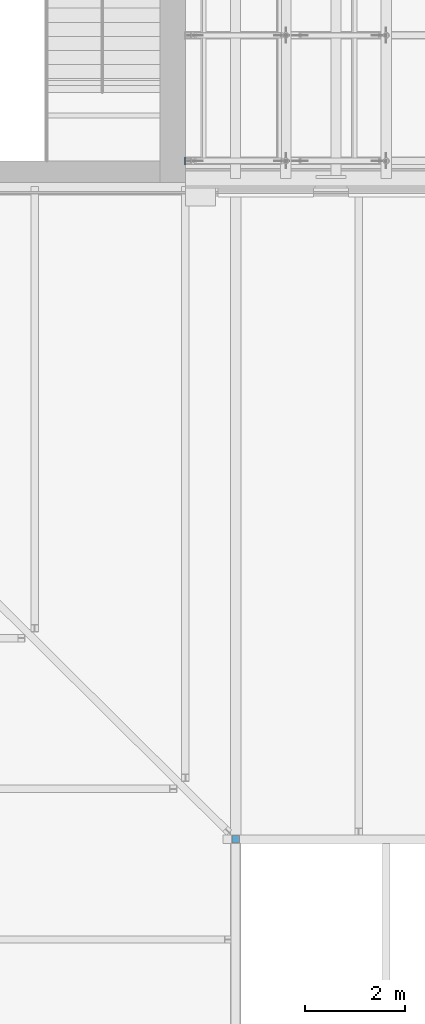
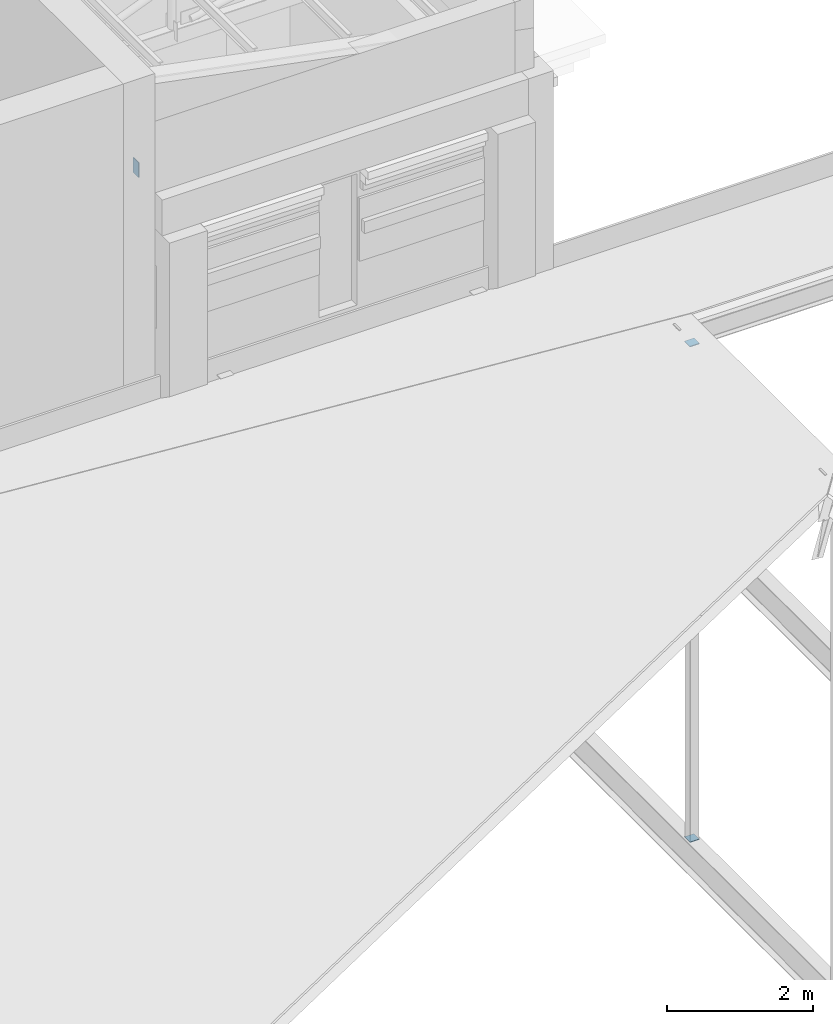
# One storey, part 90 of 118: 3 discrete accessories.
"""IFC4 building model written with IfcOpenShell, lengths in metres."""

from ifc_helpers import new_model, si_unit, direction, frame, origin, origin_2d, place, context, subcontext, project, spatial, rectangle, extrude, material, material_profile, profile_set, type_object, element, save


model = new_model("IFC4")

# Units and contexts
model_context = context("Model", 3, precision=1e-05, world=origin(), true_north=direction((0.0, 1.0)))
body_context = subcontext(model_context, "Body", "Model", "MODEL_VIEW")
ifc_project = project(units=[si_unit("LENGTHUNIT", "METRE"), si_unit("AREAUNIT", "SQUARE_METRE"), si_unit("VOLUMEUNIT", "CUBIC_METRE"), si_unit("PLANEANGLEUNIT", "RADIAN"), si_unit("MASSUNIT", "GRAM", prefix="KILO")], contexts=[model_context])

# Site, building, storey
site_placement = place(None, origin())
site = spatial("IfcSite", under=ifc_project, at=site_placement, CompositionType="ELEMENT")
building_placement = place(site_placement, origin())
building = spatial("IfcBuilding", under=site, at=building_placement, Name="Saffron Lane Theatres", CompositionType="ELEMENT")
storey_placement = place(building_placement, frame((0.0, 0.0, 16.5)))
storey = spatial("IfcBuildingStorey", under=building, at=storey_placement, Name="L03", CompositionType="ELEMENT", Elevation=16.5)

# Discrete accessories
ifc_material_1 = material(Name="Steel Grade 350", Category="steel")
ifc_material_profile_1 = material_profile(ifc_material_1, rectangle(XDim=0.14990234375, YDim=0.14990234375, at=origin_2d()))
ifc_profile_set_1 = profile_set([ifc_material_profile_1], Name="Steel Grade 350")
discrete_accessory_type_1 = type_object("IfcDiscreteAccessoryType", Name="ST-STEEL END CAP 150x150x9 SHS", PredefinedType="ANCHORPLATE", material=ifc_profile_set_1)
for number, where, z_axis, x_axis, name in (
    (1, (49.0, 17.0, 1.220947265625), (0.0, 0.0, 1.0), (1.0, 0.0, 0.0), "EC609"),
    (2, (49.0, 17.0, 9.52099609375), (0.0, 0.0, 1.0), (1.0, 0.0, 0.0), "EC610"),
):
    element("IfcDiscreteAccessory", number, at=place(storey_placement, frame(where, z_axis=z_axis, x_axis=x_axis)), inside=storey, type_object=discrete_accessory_type_1, Name=name, PredefinedType="ANCHORPLATE", context=body_context, shape_type="SweptSolid", body=[
        extrude(rectangle(XDim=0.14990234375, YDim=0.14990234375, at=origin_2d()), origin(), (0.0, 0.0, 1.0), 0.011962890625),
    ])
ifc_material_2 = material(Name="Steel Grade 350", Category="steel")
ifc_material_profile_2 = material_profile(ifc_material_2, rectangle(XDim=0.14990234375, YDim=0.25, at=origin_2d()))
ifc_profile_set_2 = profile_set([ifc_material_profile_2], Name="Steel Grade 350")
discrete_accessory_type_2 = type_object("IfcDiscreteAccessoryType", Name="ST-STEEL END CAP 250x150x9 RHS", PredefinedType="ANCHORPLATE", material=ifc_profile_set_2)
discrete_accessory_placement = place(storey_placement, frame((48.0, 30.5, 4.625), z_axis=(-1.0, 0.0, 0.0), x_axis=(0.0, -1.0, 0.0)))
element("IfcDiscreteAccessory", 3, at=discrete_accessory_placement, inside=storey, type_object=discrete_accessory_type_2, Name="EC518", PredefinedType="ANCHORPLATE", context=body_context, shape_type="SweptSolid", body=[
    extrude(rectangle(XDim=0.14990234375, YDim=0.25, at=origin_2d()), origin(), (0.0, 0.0, 1.0), 0.011962890625),
])

save(model, "model.ifc")
